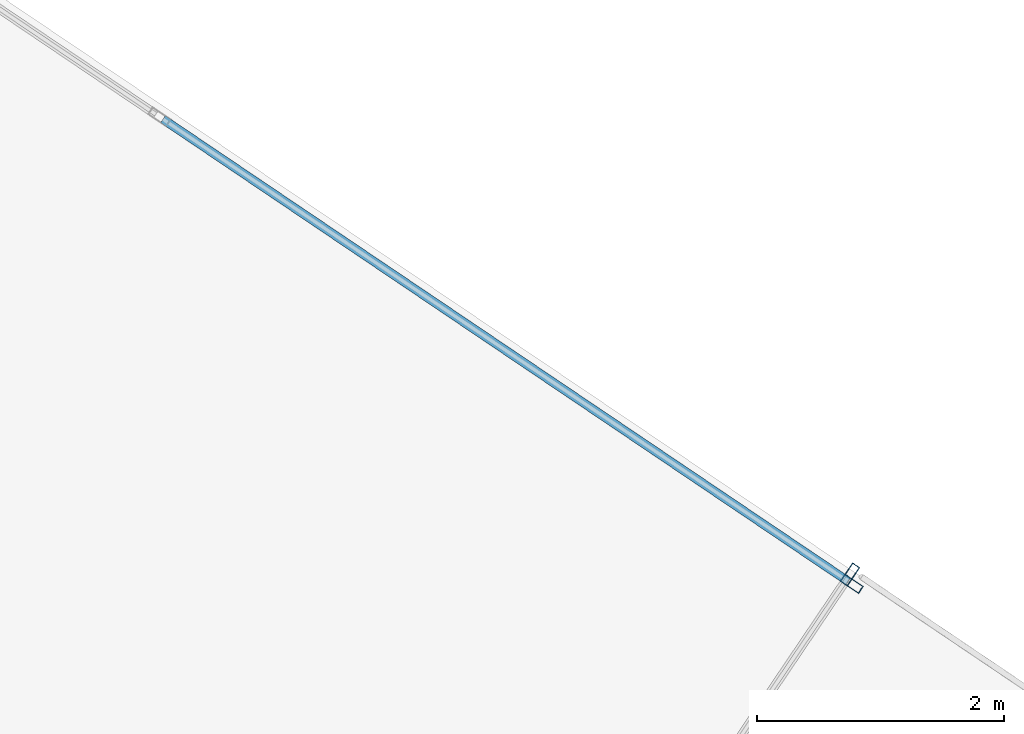
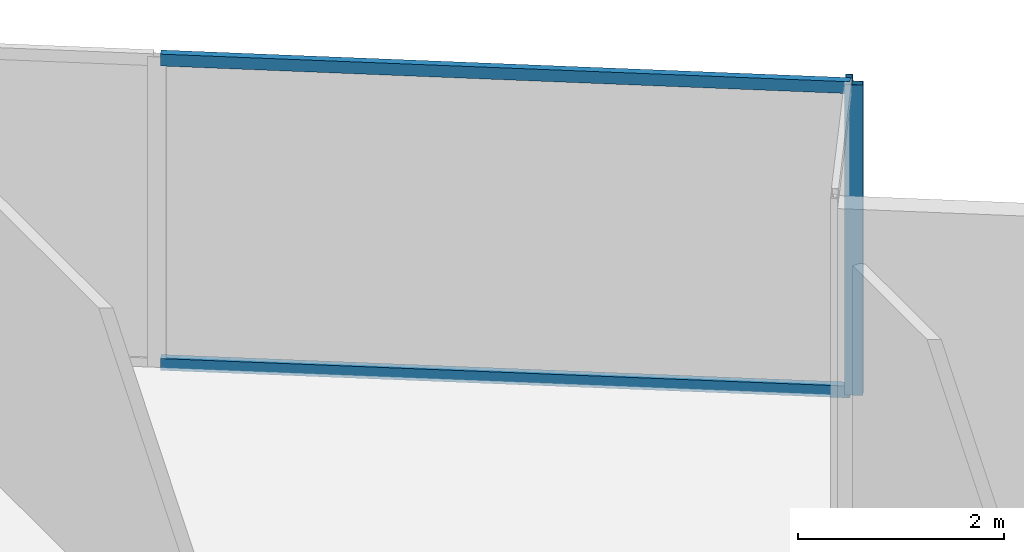
# One storey, part 21 of 27: 4 members, 2 elements without a shape of their own.
"""IFC4 building model written with IfcOpenShell, lengths in metres."""

from ifc_helpers import new_model, si_unit, direction, frame, origin, origin_2d, place, context, subcontext, project, spatial, hollow_rectangle, extrude, source, transform, mapped, material, material_profile, profile_set, type_object, type_shapes, element, aggregate, save


model = new_model("IFC4")

# Units and contexts
model_context = context("Model", 3, precision=1e-05, world=origin(), true_north=direction((0.0, 1.0)))
body_context = subcontext(model_context, "Body", "Model", "MODEL_VIEW")
ifc_project = project(units=[si_unit("LENGTHUNIT", "METRE"), si_unit("AREAUNIT", "SQUARE_METRE"), si_unit("VOLUMEUNIT", "CUBIC_METRE"), si_unit("PLANEANGLEUNIT", "RADIAN"), si_unit("MASSUNIT", "GRAM", prefix="KILO")], contexts=[model_context])

# Site, building, storey
site_placement = place(None, origin())
site = spatial("IfcSite", under=ifc_project, at=site_placement, CompositionType="ELEMENT")
building_placement = place(site_placement, origin())
building = spatial("IfcBuilding", under=site, at=building_placement, Name="Krantzveldt Concourse Tower", CompositionType="ELEMENT")
storey_placement = place(building_placement, frame((0.0, 0.0, 189.64990234375)))
storey = spatial("IfcBuildingStorey", under=building, at=storey_placement, Name="L46", CompositionType="ELEMENT", Elevation=189.64990234375)

# Curtain wall, member
ifc_material = material(Name="Anodised aluminium 6063-T6", Category="aluminium")
curtain_wall_type_1 = type_object("IfcCurtainWallType", Name="CW6", PredefinedType="USERDEFINED", material=ifc_material)
curtain_wall_1_placement = place(storey_placement, origin())
curtain_wall_1 = element("IfcCurtainWall", 1, at=curtain_wall_1_placement, inside=storey, type_object=curtain_wall_type_1, Name="CW-L46-TR13", ObjectType="UNITISED CURTAIN WALL", PredefinedType="USERDEFINED")
ifc_material_profile_1 = material_profile(ifc_material, hollow_rectangle(XDim=0.070068359375, YDim=0.179931640625, WallThickness=0.0048828125, at=origin_2d()), Name="Anodised aluminium 6063-T6", Category="aluminium")
ifc_profile_set_1 = profile_set([ifc_material_profile_1], Name="Anodised aluminium 6063-T6 - ALU-MULL 180x70x5")
member_type_1 = type_object("IfcMemberType", Name="CW-MUL-180", PredefinedType="MULLION", material=ifc_profile_set_1)
shared_shape_1 = source(origin(), body_context, "Body", "SweptSolid", [
    extrude(hollow_rectangle(XDim=0.070068359375, YDim=0.179931640625, WallThickness=0.0048828125, at=origin_2d()), origin(), (0.0, 0.0, 1.0), 3.670166015625),
])
type_shapes(member_type_1, [shared_shape_1])
member_1_placement = place(storey_placement, frame((45.001708984375, 47.002197265625, 0.0), z_axis=(0.0, 0.0, 1.0), x_axis=(-0.829039677631, 0.559189782554, 0.0)))
member_1 = element("IfcMember", 2, at=member_1_placement, type_object=member_type_1, Name="CW-TERR mullion 2", PredefinedType="MULLION", context=body_context, shape_type="MappedRepresentation", body=[
    mapped(shared_shape_1, transform((0.0, 0.0, 0.0), x_axis=(1.0, 0.0, 0.0), y_axis=(0.0, 1.0, 0.0), z_axis=(0.0, 0.0, 1.0), scale=1.0)),
])
aggregate(curtain_wall_1, [member_1])

# Curtain wall, members
curtain_wall_type_2 = type_object("IfcCurtainWallType", Name="CW3", PredefinedType="USERDEFINED", material=ifc_material)
curtain_wall_2_placement = place(storey_placement, origin())
curtain_wall_2 = element("IfcCurtainWall", 3, at=curtain_wall_2_placement, inside=storey, type_object=curtain_wall_type_2, Name="CW-L46-F14", ObjectType="UNITISED CURTAIN WALL", PredefinedType="USERDEFINED")
member_2_placement = place(storey_placement, frame((45.0166015625, 46.92578125, 0.0), z_axis=(0.0, 0.0, 1.0), x_axis=(-0.559192760874, -0.829037668737, 0.0)))
member_2 = element("IfcMember", 4, at=member_2_placement, type_object=member_type_1, Name="CW-Z34 mullion 1", PredefinedType="MULLION", context=body_context, shape_type="MappedRepresentation", body=[
    mapped(shared_shape_1, transform((0.0, 0.0, 0.0), x_axis=(1.0, 0.0, 0.0), y_axis=(0.0, 1.0, 0.0), z_axis=(0.0, 0.0, 1.0), scale=1.0)),
])
ifc_material_profile_2 = material_profile(ifc_material, hollow_rectangle(XDim=0.070068359375, YDim=0.139892578125, WallThickness=0.0048828125, at=origin_2d()), Name="Anodised aluminium 6063-T6", Category="aluminium")
ifc_profile_set_2 = profile_set([ifc_material_profile_2], Name="Anodised aluminium 6063-T6 - ALU-TRAN 140x70x5")
member_type_2 = type_object("IfcMemberType", Name="CW-TRN-150", PredefinedType="USERDEFINED", material=ifc_profile_set_2)
shared_shape_2 = source(origin(), body_context, "Body", "SweptSolid", [
    extrude(hollow_rectangle(XDim=0.070068359375, YDim=0.139892578125, WallThickness=0.0048828125, at=origin_2d()), origin(), (0.0, 0.0, 1.0), 6.695068359375),
])
type_shapes(member_type_2, [shared_shape_2])
member_3_placement = place(storey_placement, frame((44.987548828125, 46.9453125, 0.03515625), z_axis=(-0.829025343294, 0.559211033668, 0.0), x_axis=(-0.559211033668, -0.829025343294, 0.0)))
member_3 = element("IfcMember", 5, at=member_3_placement, type_object=member_type_2, Name="CW-Z34 transom 1.1", ObjectType="TRANSOM", PredefinedType="USERDEFINED", context=body_context, shape_type="MappedRepresentation", body=[
    mapped(shared_shape_2, transform((0.0, 0.0, 0.0), x_axis=(1.0, 0.0, 0.0), y_axis=(0.0, 1.0, 0.0), z_axis=(0.0, 0.0, 1.0), scale=1.0)),
])
member_4_placement = place(storey_placement, frame((44.987548828125, 46.9453125, 3.635009765625), z_axis=(-0.829025343294, 0.559211033668, 0.0), x_axis=(-0.559211033668, -0.829025343294, 0.0)))
member_4 = element("IfcMember", 6, at=member_4_placement, type_object=member_type_2, Name="CW-Z34 transom 1.2", ObjectType="TRANSOM", PredefinedType="USERDEFINED", context=body_context, shape_type="MappedRepresentation", body=[
    mapped(shared_shape_2, transform((0.0, 0.0, 0.0), x_axis=(1.0, 0.0, 0.0), y_axis=(0.0, 1.0, 0.0), z_axis=(0.0, 0.0, 1.0), scale=1.0)),
])
aggregate(curtain_wall_2, [member_2, member_3, member_4])

save(model, "model.ifc")
